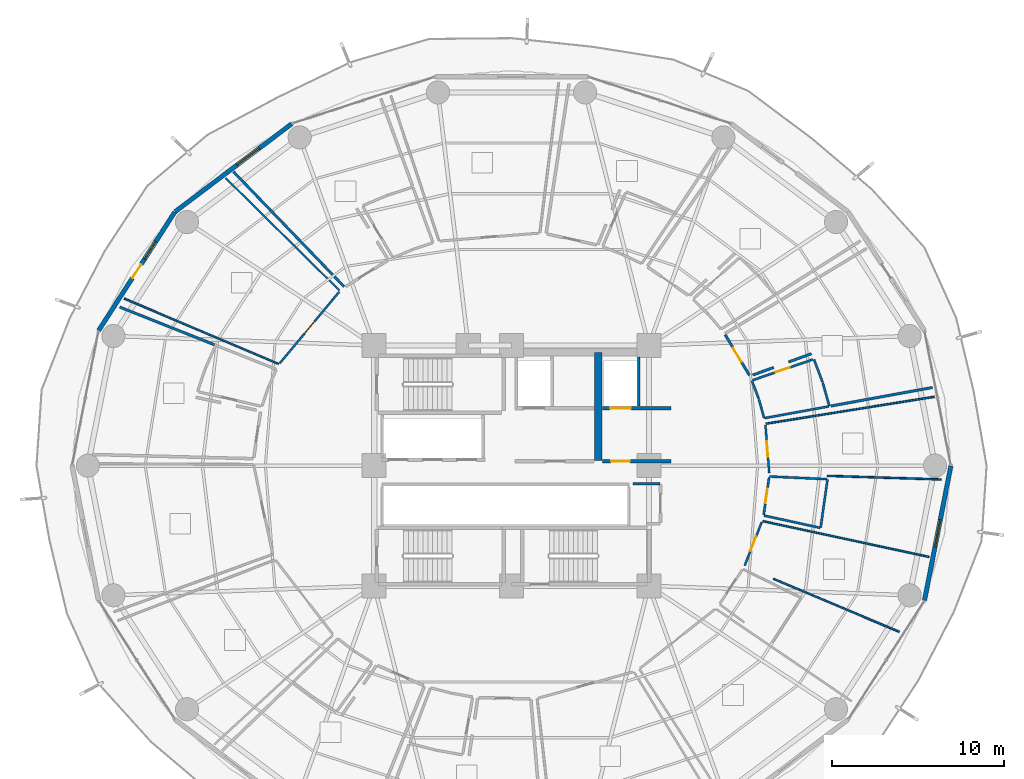
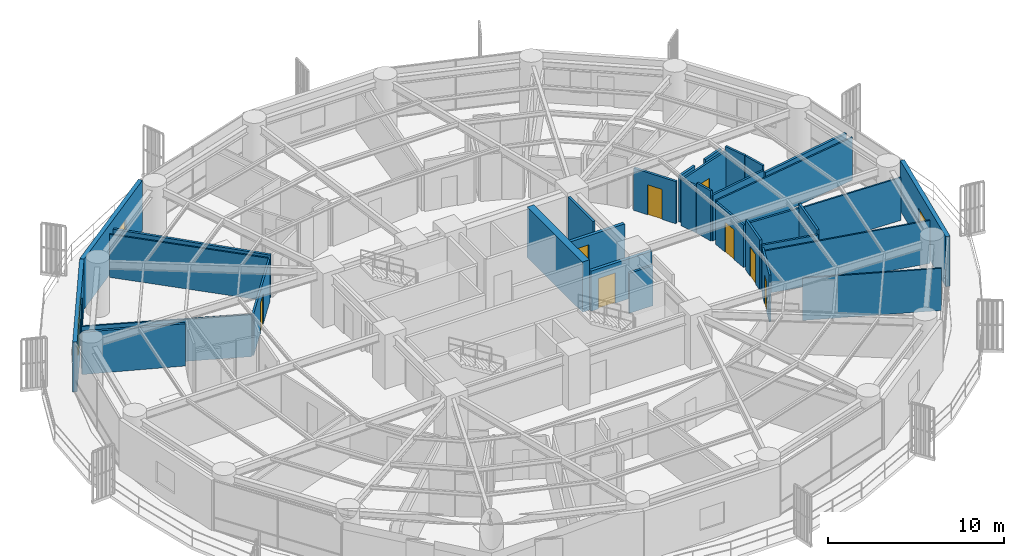
# One storey, part 28 of 34: 33 walls, 9 doors, 3 windows, 12 openings.
"""IFC4 building model written with IfcOpenShell, lengths in metres."""

from ifc_helpers import new_model, si_unit, direction, frame, frame_2d, origin, place, context, subcontext, project, spatial, rectangle, extrude, material, layer, layer_set, type_object, element, fill, save


model = new_model("IFC4")

# Units and contexts
model_context = context("Model", 3, precision=1e-05, world=origin(), true_north=direction((0.0, 1.0)))
body_context = subcontext(model_context, "Body", "Model", "MODEL_VIEW")
ifc_project = project(units=[si_unit("LENGTHUNIT", "METRE"), si_unit("AREAUNIT", "SQUARE_METRE"), si_unit("VOLUMEUNIT", "CUBIC_METRE"), si_unit("PLANEANGLEUNIT", "RADIAN"), si_unit("MASSUNIT", "GRAM", prefix="KILO")], contexts=[model_context])

# Site, building, storey
site_placement = place(None, origin())
site = spatial("IfcSite", under=ifc_project, at=site_placement, CompositionType="ELEMENT")
building_placement = place(site_placement, origin())
building = spatial("IfcBuilding", under=site, at=building_placement, Name="Kelanora Arch Commons", CompositionType="ELEMENT")
storey_placement = place(building_placement, frame((0.0, 0.0, 76.35009765625)))
storey = spatial("IfcBuildingStorey", under=building, at=storey_placement, Name="L19", CompositionType="ELEMENT", Elevation=76.35009765625)

# Wall
ifc_material_1 = material(Name="Autoclaved aerated concrete blockwork with fire plaster", Category="masonry")
ifc_layer_1 = layer(ifc_material_1, 0.14990234375)
ifc_layer_set_1 = layer_set([ifc_layer_1], Name="Autoclaved aerated concrete blockwork with fire plaster")
wall_type_1 = type_object("IfcWallType", Name="W-COMP-150", PredefinedType="PARTITIONING", material=ifc_layer_set_1)
wall_1_placement = place(storey_placement, frame((81.419921875, 61.47998046875, 0.0), z_axis=(0.0, 0.0, 1.0), x_axis=(0.0, 1.0, 0.0)))
element("IfcWall", 1, at=wall_1_placement, inside=storey, type_object=wall_type_1, Name="Firefighting Lift 2 East Shaft Wall L19", PredefinedType="PARTITIONING", context=body_context, shape_type="SweptSolid", body=[
    extrude(rectangle(XDim=2.840087890625, YDim=0.14990234375, at=frame_2d((1.419921875, 0.0))), origin(), (0.0, 0.0, 1.0), 3.47998046875),
])

# Wall, opening, door
wall_2_placement = place(storey_placement, frame((87.856201171875, 63.2666015625, 0.0), z_axis=(0.0, 0.0, 1.0), x_axis=(-0.512288635556, 0.858813340535, 0.0)))
wall_2 = element("IfcWall", 2, at=wall_2_placement, inside=storey, type_object=wall_type_1, Name="Co-Living Studio L19-01 Entry Partition", PredefinedType="PARTITIONING", context=body_context, shape_type="SweptSolid", body=[
    extrude(rectangle(XDim=2.751220703125, YDim=0.14990234375, at=frame_2d((1.37548828125, 0.0))), origin(), (0.0, 0.0, 1.0), 2.9248046875),
])
opening_1_placement = place(wall_2_placement, frame((0.90087890625, 0.0, 0.0)))
opening_1 = element("IfcOpeningElement", 3, at=opening_1_placement, cuts=wall_2, Name="Opening D-CLU1", PredefinedType="OPENING", context=body_context, shape_type="SweptSolid", body=[
    extrude(rectangle(XDim=0.949951171875, YDim=2.080078125, at=frame_2d((0.47509765625, 1.0400390625))), frame((0.0, 0.0849609375, 0.0), z_axis=(0.0, -1.0, 0.0), x_axis=(1.0, 0.0, 0.0)), (0.0, 0.0, 1.0), 0.169921875),
])
ifc_material_2 = material(Name="Solid-core acoustic timber cluster entry fire door", Category="wood")
door_type_1 = type_object("IfcDoorType", Name="D-CLU-95", OperationType="NOTDEFINED", PredefinedType="DOOR", material=ifc_material_2)
door_1_placement = place(opening_1_placement, origin())
door_1 = element("IfcDoor", 4, at=door_1_placement, inside=storey, type_object=door_type_1, Name="Co-Living Studio L19-01 Door", OperationType="SINGLE_SWING_LEFT", OverallHeight=2.080078125, OverallWidth=0.949951171875, PredefinedType="DOOR", context=body_context, shape_type="SweptSolid", body=[
    extrude(rectangle(XDim=0.949951171875, YDim=2.080078125, at=frame_2d((0.47509765625, 1.0400390625))), frame((0.0, 0.02490234375, 0.0), z_axis=(0.0, -1.0, 0.0), x_axis=(1.0, 0.0, 0.0)), (0.0, 0.0, 1.0), 0.050048828125),
])
fill(opening_1, door_1)

# Walls
wall_3_placement = place(storey_placement, frame((82.639892578125, 56.949951171875, 0.0), z_axis=(0.0, 0.0, 1.0), x_axis=(-1.0, 0.0, 0.0)))
element("IfcWall", 5, at=wall_3_placement, inside=storey, type_object=wall_type_1, Name="Core Housekeeping Store L19 Enclosure Partition 3", PredefinedType="PARTITIONING", context=body_context, shape_type="SweptSolid", body=[
    extrude(rectangle(XDim=1.5498046875, YDim=0.14990234375, at=frame_2d((0.77490234375, 0.0))), origin(), (0.0, 0.0, 1.0), 2.77490234375),
])
wall_4_placement = place(storey_placement, frame((98.51953125, 62.5517578125, 0.0), z_axis=(0.0, 0.0, 1.0), x_axis=(-0.983768558102, -0.17944197973, 0.0)))
element("IfcWall", 6, at=wall_4_placement, inside=storey, type_object=wall_type_1, Name="Co-Living Studio L19-01 Enclosure Partition 5", PredefinedType="PARTITIONING", context=body_context, shape_type="SweptSolid", body=[
    extrude(rectangle(XDim=6.021728515625, YDim=0.14990234375, at=frame_2d((3.0107421875, 0.0))), origin(), (0.0, 0.0, 1.0), 2.974853515625),
])
wall_5_placement = place(storey_placement, frame((91.470458984375, 64.521240234375, 0.0), z_axis=(0.0, 0.0, 1.0), x_axis=(-0.939526959999, -0.342474950084, 0.0)))
element("IfcWall", 7, at=wall_5_placement, inside=storey, type_object=wall_type_1, Name="Co-Living Studio L19-01 Enclosure Partition 7", PredefinedType="PARTITIONING", context=body_context, shape_type="SweptSolid", body=[
    extrude(rectangle(XDim=1.41943359375, YDim=0.14990234375, at=frame_2d((0.709716796875, 0.0))), origin(), (0.0, 0.0, 1.0), 3.1748046875),
])
wall_6_placement = place(storey_placement, frame((89.2724609375, 63.719970703125, 0.0), z_axis=(0.0, 0.0, 1.0), x_axis=(-0.939522570491, -0.342486991779, 0.0)))
element("IfcWall", 8, at=wall_6_placement, inside=storey, type_object=wall_type_1, Name="Co-Living Studio L19-01 Enclosure Partition 7", PredefinedType="PARTITIONING", context=body_context, shape_type="SweptSolid", body=[
    extrude(rectangle(XDim=1.291015625, YDim=0.14990234375, at=frame_2d((0.6455078125, 0.0))), origin(), (0.0, 0.0, 1.0), 3.23486328125),
])
wall_7_placement = place(storey_placement, frame((64.251220703125, 68.423828125, 0.0), z_axis=(0.0, 0.0, 1.0), x_axis=(-0.693645221886, 0.720316809574, 0.0)))
element("IfcWall", 9, at=wall_7_placement, inside=storey, type_object=wall_type_1, Name="Co-Living Studio L19-05 Enclosure Partition 2", PredefinedType="PARTITIONING", context=body_context, shape_type="SweptSolid", body=[
    extrude(rectangle(XDim=9.290771484375, YDim=0.14990234375, at=frame_2d((4.6455078125, 0.0))), origin(), (0.0, 0.0, 1.0), 2.974853515625),
])
wall_8_placement = place(storey_placement, frame((51.17919921875, 67.236083984375, 0.0), z_axis=(0.0, 0.0, 1.0), x_axis=(0.929212756669, -0.369545197294, 0.0)))
element("IfcWall", 10, at=wall_8_placement, inside=storey, type_object=wall_type_1, Name="Co-Living Studio L19-07 Enclosure Partition 5", PredefinedType="PARTITIONING", context=body_context, shape_type="SweptSolid", body=[
    extrude(rectangle(XDim=5.9326171875, YDim=0.14990234375, at=frame_2d((2.96630859375, 0.0))), origin(), (0.0, 0.0, 1.0), 2.9248046875),
])
ifc_material_3 = material(Name="Concrete C60/75", Category="concrete")
ifc_layer_2 = layer(ifc_material_3, 0.449951171875)
ifc_layer_set_2 = layer_set([ifc_layer_2], Name="Concrete C60/75")
wall_type_2 = type_object("IfcWallType", Name="W-CORE-450", PredefinedType="SHEAR", material=ifc_layer_set_2)
wall_9_placement = place(storey_placement, frame((79.050048828125, 58.300048828125, 0.0), z_axis=(0.0, 0.0, 1.0), x_axis=(0.0, 1.0, 0.0)))
element("IfcWall", 11, at=wall_9_placement, inside=storey, type_object=wall_type_2, Name="Core Shear Spine L19-CE-N", PredefinedType="SHEAR", context=body_context, shape_type="SweptSolid", body=[
    extrude(rectangle(XDim=6.300048828125, YDim=0.449951171875, at=frame_2d((3.14990234375, 0.0))), origin(), (0.0, 0.0, 1.0), 3.489990234375),
])

# Wall, opening, window
ifc_material_4 = material(Name="Precast concrete C40/50 with terracotta rainscreen", Category="masonry")
ifc_layer_3 = layer(ifc_material_4, 0.260009765625)
ifc_layer_set_3 = layer_set([ifc_layer_3], Name="Precast concrete C40/50 with terracotta rainscreen")
wall_type_3 = type_object("IfcWallType", Name="W-EXT-TC", PredefinedType="SOLIDWALL", material=ifc_layer_set_3)
wall_10_placement = place(storey_placement, frame((61.18798828125, 77.90966796875, 0.0), z_axis=(0.0, 0.0, 1.0), x_axis=(-0.798501507879, -0.601992808857, 0.0)))
wall_10 = element("IfcWall", 12, at=wall_10_placement, inside=storey, type_object=wall_type_3, Name="Terracotta Exterior Wall L19-B06", PredefinedType="SOLIDWALL", context=body_context, shape_type="SweptSolid", body=[
    extrude(rectangle(XDim=8.499267578125, YDim=0.260009765625, at=frame_2d((4.24951171875, 0.0))), origin(), (0.0, 0.0, 1.0), 3.474853515625),
])
opening_2_placement = place(wall_10_placement, frame((2.3701171875, 0.0, 0.85009765625)))
opening_2 = element("IfcOpeningElement", 13, at=opening_2_placement, cuts=wall_10, Name="Opening WN-01", PredefinedType="OPENING", context=body_context, shape_type="SweptSolid", body=[
    extrude(rectangle(XDim=1.60009765625, YDim=1.449951171875, at=frame_2d((0.800048828125, 0.72509765625))), frame((0.0, 0.14013671875, 0.0), z_axis=(0.0, -1.0, 0.0), x_axis=(1.0, 0.0, 0.0)), (0.0, 0.0, 1.0), 0.280029296875),
])
ifc_material_5 = material(Name="Terracotta-anodised aluminium frame with operable low-E glazing", Category="masonry")
window_type_1 = type_object("IfcWindowType", Name="WIN-CL-18", PartitioningType="DOUBLE_PANEL_VERTICAL", PredefinedType="WINDOW", material=ifc_material_5)
window_1_placement = place(opening_2_placement, origin())
window_1 = element("IfcWindow", 14, at=window_1_placement, inside=storey, type_object=window_type_1, Name="Co-Living Operable Window L19-B06", OverallHeight=1.449951171875, OverallWidth=1.60009765625, PartitioningType="SINGLE_PANEL", PredefinedType="WINDOW", context=body_context, shape_type="SweptSolid", body=[
    extrude(rectangle(XDim=1.60009765625, YDim=1.449951171875, at=frame_2d((0.800048828125, 0.72509765625))), frame((0.0, 0.030029296875, 0.0), z_axis=(0.0, -1.0, 0.0), x_axis=(1.0, 0.0, 0.0)), (0.0, 0.0, 1.0), 0.06005859375),
])
fill(opening_2, window_1)

# Wall, openings, door, window
wall_11_placement = place(storey_placement, frame((54.381103515625, 72.771484375, 0.0), z_axis=(0.0, 0.0, 1.0), x_axis=(-0.540620528459, -0.841266571432, 0.0)))
wall_11 = element("IfcWall", 15, at=wall_11_placement, inside=storey, type_object=wall_type_3, Name="Terracotta Exterior Wall L19-B07", PredefinedType="SOLIDWALL", context=body_context, shape_type="SweptSolid", body=[
    extrude(rectangle(XDim=8.19287109375, YDim=0.260009765625, at=frame_2d((4.096435546875, 0.0))), origin(), (0.0, 0.0, 1.0), 3.474853515625),
])
opening_3_placement = place(wall_11_placement, frame((3.62109375, 0.0, 0.0)))
opening_3 = element("IfcOpeningElement", 16, at=opening_3_placement, cuts=wall_11, Name="Opening DB-01", PredefinedType="OPENING", context=body_context, shape_type="SweptSolid", body=[
    extrude(rectangle(XDim=0.949951171875, YDim=2.10009765625, at=frame_2d((0.47509765625, 1.050048828125))), frame((0.0, 0.14013671875, 0.0), z_axis=(0.0, -1.0, 0.0), x_axis=(1.0, 0.0, 0.0)), (0.0, 0.0, 1.0), 0.280029296875),
])
opening_4_placement = place(wall_11_placement, frame((2.041015625, 0.0, 0.85009765625)))
opening_4 = element("IfcOpeningElement", 17, at=opening_4_placement, cuts=wall_11, Name="Opening WN-02", PredefinedType="OPENING", context=body_context, shape_type="SweptSolid", body=[
    extrude(rectangle(XDim=1.199951171875, YDim=1.449951171875, at=frame_2d((0.60009765625, 0.72509765625))), frame((0.0, 0.14013671875, 0.0), z_axis=(0.0, -1.0, 0.0), x_axis=(1.0, 0.0, 0.0)), (0.0, 0.0, 1.0), 0.280029296875),
])
ifc_material_6 = material(Name="Terracotta-aluminium thermally broken glazed balcony door", Category="masonry")
door_type_2 = type_object("IfcDoorType", Name="D-BAL-10", OperationType="NOTDEFINED", PredefinedType="DOOR", material=ifc_material_6)
door_2_placement = place(opening_3_placement, frame((0.949951171875, 0.0, 0.0), z_axis=(0.0, 0.0, 1.0), x_axis=(-1.0, 0.0, 0.0)))
door_2 = element("IfcDoor", 18, at=door_2_placement, inside=storey, type_object=door_type_2, Name="Wave Balcony Door L19-B07", OperationType="SINGLE_SWING_LEFT", OverallHeight=2.10009765625, OverallWidth=0.949951171875, PredefinedType="DOOR", context=body_context, shape_type="SweptSolid", body=[
    extrude(rectangle(XDim=0.949951171875, YDim=2.10009765625, at=frame_2d((0.47509765625, 1.050048828125))), frame((0.0, 0.02490234375, 0.0), z_axis=(0.0, -1.0, 0.0), x_axis=(1.0, 0.0, 0.0)), (0.0, 0.0, 1.0), 0.050048828125),
])
fill(opening_3, door_2)
ifc_material_7 = material(Name="Terracotta-anodised aluminium frame with operable awning sash", Category="masonry")
window_type_2 = type_object("IfcWindowType", Name="WIN-CL-12", PartitioningType="SINGLE_PANEL", PredefinedType="WINDOW", material=ifc_material_7)
window_2_placement = place(opening_4_placement, origin())
window_2 = element("IfcWindow", 19, at=window_2_placement, inside=storey, type_object=window_type_2, Name="Co-Living Operable Window L19-B07", OverallHeight=1.449951171875, OverallWidth=1.199951171875, PartitioningType="SINGLE_PANEL", PredefinedType="WINDOW", context=body_context, shape_type="SweptSolid", body=[
    extrude(rectangle(XDim=1.199951171875, YDim=1.449951171875, at=frame_2d((0.60009765625, 0.72509765625))), frame((0.0, 0.030029296875, 0.0), z_axis=(0.0, -1.0, 0.0), x_axis=(1.0, 0.0, 0.0)), (0.0, 0.0, 1.0), 0.06005859375),
])
fill(opening_4, window_2)

# Wall, opening, window
wall_12_placement = place(storey_placement, frame((98.05908203125, 50.148193359375, 0.0), z_axis=(0.0, 0.0, 1.0), x_axis=(0.192581843632, 0.981280914674, 0.0)))
wall_12 = element("IfcWall", 20, at=wall_12_placement, inside=storey, type_object=wall_type_3, Name="Terracotta Exterior Wall L19-B17", PredefinedType="SOLIDWALL", context=body_context, shape_type="SweptSolid", body=[
    extrude(rectangle(XDim=7.986572265625, YDim=0.260009765625, at=frame_2d((3.9931640625, 0.0))), origin(), (0.0, 0.0, 1.0), 3.474853515625),
])
opening_5_placement = place(wall_12_placement, frame((3.193115234375, 0.0, 0.85009765625)))
opening_5 = element("IfcOpeningElement", 21, at=opening_5_placement, cuts=wall_12, Name="Opening WN-01", PredefinedType="OPENING", context=body_context, shape_type="SweptSolid", body=[
    extrude(rectangle(XDim=1.60009765625, YDim=1.449951171875, at=frame_2d((0.800048828125, 0.72509765625))), frame((0.0, 0.14013671875, 0.0), z_axis=(0.0, -1.0, 0.0), x_axis=(1.0, 0.0, 0.0)), (0.0, 0.0, 1.0), 0.280029296875),
])
window_3_placement = place(opening_5_placement, origin())
window_3 = element("IfcWindow", 22, at=window_3_placement, inside=storey, type_object=window_type_1, Name="Co-Living Operable Window L19-B17", OverallHeight=1.449951171875, OverallWidth=1.60009765625, PartitioningType="SINGLE_PANEL", PredefinedType="WINDOW", context=body_context, shape_type="SweptSolid", body=[
    extrude(rectangle(XDim=1.60009765625, YDim=1.449951171875, at=frame_2d((0.800048828125, 0.72509765625))), frame((0.0, 0.030029296875, 0.0), z_axis=(0.0, -1.0, 0.0), x_axis=(1.0, 0.0, 0.0)), (0.0, 0.0, 1.0), 0.06005859375),
])
fill(opening_5, window_3)

# Wall, opening, door
ifc_material_8 = material(Name="Concrete C40/50", Category="concrete")
ifc_layer_4 = layer(ifc_material_8, 0.199951171875)
ifc_layer_set_4 = layer_set([ifc_layer_4], Name="Concrete C40/50")
wall_type_4 = type_object("IfcWallType", Name="W-FFL-200", PredefinedType="SOLIDWALL", material=ifc_layer_set_4)
wall_13_placement = place(storey_placement, frame((79.300048828125, 61.35009765625, 0.0), z_axis=(0.0, 0.0, 1.0), x_axis=(1.0, 0.0, 0.0)))
wall_13 = element("IfcWall", 23, at=wall_13_placement, inside=storey, type_object=wall_type_4, Name="Firefighting Lift 2 Shaft Front L19", PredefinedType="SOLIDWALL", context=body_context, shape_type="SweptSolid", body=[
    extrude(rectangle(XDim=4.0, YDim=0.199951171875, at=frame_2d((2.0, 0.0))), origin(), (0.0, 0.0, 1.0), 2.77490234375),
])
opening_6_placement = place(wall_13_placement, frame((0.449951171875, 0.0, 0.0)))
opening_6 = element("IfcOpeningElement", 24, at=opening_6_placement, cuts=wall_13, Name="Opening LD-FF", PredefinedType="OPENING", context=body_context, shape_type="SweptSolid", body=[
    extrude(rectangle(XDim=1.199951171875, YDim=2.14990234375, at=frame_2d((0.60009765625, 1.074951171875))), frame((0.0, 0.10986328125, 0.0), z_axis=(0.0, -1.0, 0.0), x_axis=(1.0, 0.0, 0.0)), (0.0, 0.0, 1.0), 0.219970703125),
])
ifc_material_9 = material(Name="Fire-rated firefighters lift sliding landing door")
door_type_3 = type_object("IfcDoorType", Name="D-LIFT-FF", OperationType="NOTDEFINED", PredefinedType="DOOR", material=ifc_material_9)
door_3_placement = place(opening_6_placement, origin())
door_3 = element("IfcDoor", 25, at=door_3_placement, inside=storey, type_object=door_type_3, Name="Firefighting Lift LF-FF2 Landing Door L19", OperationType="DOUBLE_DOOR_SLIDING", OverallHeight=2.14990234375, OverallWidth=1.199951171875, PredefinedType="DOOR", context=body_context, shape_type="SweptSolid", body=[
    extrude(rectangle(XDim=1.199951171875, YDim=2.14990234375, at=frame_2d((0.60009765625, 1.074951171875))), frame((0.0, 0.02490234375, 0.0), z_axis=(0.0, -1.0, 0.0), x_axis=(1.0, 0.0, 0.0)), (0.0, 0.0, 1.0), 0.050048828125),
])
fill(opening_6, door_3)

wall_14_placement = place(storey_placement, frame((79.300048828125, 58.25, 0.0), z_axis=(0.0, 0.0, 1.0), x_axis=(1.0, 0.0, 0.0)))
wall_14 = element("IfcWall", 26, at=wall_14_placement, inside=storey, type_object=wall_type_4, Name="Firefighting Lobby 2 Enclosure Wall L19", PredefinedType="SOLIDWALL", context=body_context, shape_type="SweptSolid", body=[
    extrude(rectangle(XDim=4.0, YDim=0.199951171875, at=frame_2d((2.0, 0.0))), origin(), (0.0, 0.0, 1.0), 2.77490234375),
])
opening_7_placement = place(wall_14_placement, frame((0.5, 0.0, 0.0)))
opening_7 = element("IfcOpeningElement", 27, at=opening_7_placement, cuts=wall_14, Name="Opening D-FFL1", PredefinedType="OPENING", context=body_context, shape_type="SweptSolid", body=[
    extrude(rectangle(XDim=1.10009765625, YDim=2.10009765625, at=frame_2d((0.550048828125, 1.050048828125))), frame((0.0, 0.10986328125, 0.0), z_axis=(0.0, -1.0, 0.0), x_axis=(1.0, 0.0, 0.0)), (0.0, 0.0, 1.0), 0.219970703125),
])
ifc_material_10 = material(Name="Smoke-sealed firefighting lobby fire door")
door_type_4 = type_object("IfcDoorType", Name="D-FFL-110", OperationType="NOTDEFINED", PredefinedType="DOOR", material=ifc_material_10)
door_4_placement = place(opening_7_placement, frame((1.10009765625, 0.0, 0.0), z_axis=(0.0, 0.0, 1.0), x_axis=(-1.0, 0.0, 0.0)))
door_4 = element("IfcDoor", 28, at=door_4_placement, inside=storey, type_object=door_type_4, Name="Firefighting Lobby 2 Door L19", OperationType="SINGLE_SWING_RIGHT", OverallHeight=2.10009765625, OverallWidth=1.10009765625, PredefinedType="DOOR", context=body_context, shape_type="SweptSolid", body=[
    extrude(rectangle(XDim=1.10009765625, YDim=2.10009765625, at=frame_2d((0.550048828125, 1.050048828125))), frame((0.0, 0.02490234375, 0.0), z_axis=(0.0, -1.0, 0.0), x_axis=(1.0, 0.0, 0.0)), (0.0, 0.0, 1.0), 0.050048828125),
])
fill(opening_7, door_4)

# Walls
ifc_material_11 = material(Name="Lightweight fire-rated acoustic stud partition")
ifc_layer_5 = layer(ifc_material_11, 0.10009765625)
ifc_layer_set_5 = layer_set([ifc_layer_5], Name="Lightweight fire-rated acoustic stud partition")
wall_type_5 = type_object("IfcWallType", Name="W-PART-100", PredefinedType="PARTITIONING", material=ifc_layer_set_5)
wall_15_placement = place(storey_placement, frame((60.420166015625, 63.926513671875, 0.0), z_axis=(0.0, 0.0, 1.0), x_axis=(-0.920723225206, 0.390216276654, 0.0)))
element("IfcWall", 29, at=wall_15_placement, inside=storey, type_object=wall_type_5, Name="Social Sky Lounge L19-06 Enclosure Partition 2", PredefinedType="PARTITIONING", context=body_context, shape_type="SweptSolid", body=[
    extrude(rectangle(XDim=9.755859375, YDim=0.10009765625, at=frame_2d((4.8779296875, 0.0))), origin(), (0.0, 0.0, 1.0), 2.9248046875),
])
wall_16_placement = place(storey_placement, frame((57.344482421875, 74.755859375, 0.0), z_axis=(0.0, 0.0, 1.0), x_axis=(0.711285789258, -0.702902927864, 0.0)))
element("IfcWall", 30, at=wall_16_placement, inside=storey, type_object=wall_type_5, Name="Social Sky Lounge L19-06 Enclosure Partition 4", PredefinedType="PARTITIONING", context=body_context, shape_type="SweptSolid", body=[
    extrude(rectangle(XDim=9.319580078125, YDim=0.10009765625, at=frame_2d((4.65966796875, 0.0))), origin(), (0.0, 0.0, 1.0), 2.974853515625),
])
wall_17_placement = place(storey_placement, frame((88.64111328125, 54.763671875, 0.0), z_axis=(0.0, 0.0, 1.0), x_axis=(0.97772336182, -0.209897660187, 0.0)))
element("IfcWall", 31, at=wall_17_placement, inside=storey, type_object=wall_type_5, Name="Quiet Reading Carrel L19-14 Enclosure Partition 2", PredefinedType="PARTITIONING", context=body_context, shape_type="SweptSolid", body=[
    extrude(rectangle(XDim=9.906494140625, YDim=0.10009765625, at=frame_2d((4.953125, 0.0))), origin(), (0.0, 0.0, 1.0), 2.974853515625),
])
wall_18_placement = place(storey_placement, frame((96.590087890625, 48.318603515625, 0.0), z_axis=(0.0, 0.0, 1.0), x_axis=(-0.92163364156, 0.388061117279, 0.0)))
element("IfcWall", 32, at=wall_18_placement, inside=storey, type_object=wall_type_5, Name="Quiet Reading Carrel L19-14 Enclosure Partition 4", PredefinedType="PARTITIONING", context=body_context, shape_type="SweptSolid", body=[
    extrude(rectangle(XDim=7.952880859375, YDim=0.10009765625, at=frame_2d((3.9765625, 0.0))), origin(), (0.0, 0.0, 1.0), 2.9248046875),
])
wall_19_placement = place(storey_placement, frame((88.827392578125, 60.443359375, 0.0), z_axis=(0.0, 0.0, 1.0), x_axis=(0.987442472226, 0.157978998742, 0.0)))
element("IfcWall", 33, at=wall_19_placement, inside=storey, type_object=wall_type_5, Name="Tutorial Study Alcove L19-15 Enclosure Partition 2", PredefinedType="PARTITIONING", context=body_context, shape_type="SweptSolid", body=[
    extrude(rectangle(XDim=9.933837890625, YDim=0.10009765625, at=frame_2d((4.966796875, 0.0))), origin(), (0.0, 0.0, 1.0), 2.974853515625),
])
wall_20_placement = place(storey_placement, frame((99.02392578125, 57.1953125, 0.0), z_axis=(0.0, 0.0, 1.0), x_axis=(-0.999502833447, 0.031529128296, 0.0)))
element("IfcWall", 34, at=wall_20_placement, inside=storey, type_object=wall_type_5, Name="Tutorial Study Alcove L19-15 Enclosure Partition 4", PredefinedType="PARTITIONING", context=body_context, shape_type="SweptSolid", body=[
    extrude(rectangle(XDim=6.628173828125, YDim=0.10009765625, at=frame_2d((3.31396484375, 0.0))), origin(), (0.0, 0.0, 1.0), 2.974853515625),
])

# Wall, opening, door
ifc_material_12 = material(Name="Acoustic twin-stud fire-rated gypsum partition")
ifc_layer_6 = layer(ifc_material_12, 0.1201171875)
ifc_layer_set_6 = layer_set([ifc_layer_6], Name="Acoustic twin-stud fire-rated gypsum partition")
wall_type_6 = type_object("IfcWallType", Name="W-PART-120", PredefinedType="PARTITIONING", material=ifc_layer_set_6)
wall_21_placement = place(storey_placement, frame((63.963623046875, 68.130859375, 0.0), z_axis=(0.0, 0.0, 1.0), x_axis=(-0.639104047727, -0.769120287198, 0.0)))
wall_21 = element("IfcWall", 35, at=wall_21_placement, inside=storey, type_object=wall_type_6, Name="Social Sky Lounge L19-06 Entry Partition", PredefinedType="PARTITIONING", context=body_context, shape_type="SweptSolid", body=[
    extrude(rectangle(XDim=5.4267578125, YDim=0.1201171875, at=frame_2d((2.71337890625, 0.0))), origin(), (0.0, 0.0, 1.0), 2.9248046875),
])
opening_8_placement = place(wall_21_placement, frame((2.262939453125, 0.0, 0.0)))
opening_8 = element("IfcOpeningElement", 36, at=opening_8_placement, cuts=wall_21, Name="Opening D-RM1", PredefinedType="OPENING", context=body_context, shape_type="SweptSolid", body=[
    extrude(rectangle(XDim=0.89990234375, YDim=2.080078125, at=frame_2d((0.449951171875, 1.0400390625))), frame((0.0, 0.070068359375, 0.0), z_axis=(0.0, -1.0, 0.0), x_axis=(1.0, 0.0, 0.0)), (0.0, 0.0, 1.0), 0.14013671875),
])
ifc_material_13 = material(Name="Acoustic fire-rated timber study and lounge door", Category="wood")
door_type_5 = type_object("IfcDoorType", Name="D-ROOM-90", OperationType="NOTDEFINED", PredefinedType="DOOR", material=ifc_material_13)
door_5_placement = place(opening_8_placement, origin())
door_5 = element("IfcDoor", 37, at=door_5_placement, inside=storey, type_object=door_type_5, Name="Social Sky Lounge L19-06 Door", OperationType="SINGLE_SWING_LEFT", OverallHeight=2.080078125, OverallWidth=0.89990234375, PredefinedType="DOOR", context=body_context, shape_type="SweptSolid", body=[
    extrude(rectangle(XDim=0.89990234375, YDim=2.080078125, at=frame_2d((0.449951171875, 1.0400390625))), frame((0.0, 0.02490234375, 0.0), z_axis=(0.0, -1.0, 0.0), x_axis=(1.0, 0.0, 0.0)), (0.0, 0.0, 1.0), 0.050048828125),
])
fill(opening_8, door_5)

wall_22_placement = place(storey_placement, frame((87.581787109375, 52.1767578125, 0.0), z_axis=(0.0, 0.0, 1.0), x_axis=(0.365846135531, 0.930675348936, 0.0)))
wall_22 = element("IfcWall", 38, at=wall_22_placement, inside=storey, type_object=wall_type_6, Name="Quiet Reading Carrel L19-14 Entry Partition", PredefinedType="PARTITIONING", context=body_context, shape_type="SweptSolid", body=[
    extrude(rectangle(XDim=2.728759765625, YDim=0.1201171875, at=frame_2d((1.3642578125, 0.0))), origin(), (0.0, 0.0, 1.0), 3.23486328125),
])
opening_9_placement = place(wall_22_placement, frame((0.9140625, 0.0, 0.0)))
opening_9 = element("IfcOpeningElement", 39, at=opening_9_placement, cuts=wall_22, Name="Opening D-RM1", PredefinedType="OPENING", context=body_context, shape_type="SweptSolid", body=[
    extrude(rectangle(XDim=0.89990234375, YDim=2.080078125, at=frame_2d((0.449951171875, 1.0400390625))), frame((0.0, 0.070068359375, 0.0), z_axis=(0.0, -1.0, 0.0), x_axis=(1.0, 0.0, 0.0)), (0.0, 0.0, 1.0), 0.14013671875),
])
door_6_placement = place(opening_9_placement, origin())
door_6 = element("IfcDoor", 40, at=door_6_placement, inside=storey, type_object=door_type_5, Name="Quiet Reading Carrel L19-14 Door", OperationType="SINGLE_SWING_LEFT", OverallHeight=2.080078125, OverallWidth=0.89990234375, PredefinedType="DOOR", context=body_context, shape_type="SweptSolid", body=[
    extrude(rectangle(XDim=0.89990234375, YDim=2.080078125, at=frame_2d((0.449951171875, 1.0400390625))), frame((0.0, 0.02490234375, 0.0), z_axis=(0.0, -1.0, 0.0), x_axis=(1.0, 0.0, 0.0)), (0.0, 0.0, 1.0), 0.050048828125),
])
fill(opening_9, door_6)

wall_23_placement = place(storey_placement, frame((89.015380859375, 57.57080078125, 0.0), z_axis=(0.0, 0.0, 1.0), x_axis=(-0.079090310477, 0.996867454975, 0.0)))
wall_23 = element("IfcWall", 41, at=wall_23_placement, inside=storey, type_object=wall_type_6, Name="Tutorial Study Alcove L19-15 Entry Partition", PredefinedType="PARTITIONING", context=body_context, shape_type="SweptSolid", body=[
    extrude(rectangle(XDim=2.815185546875, YDim=0.1201171875, at=frame_2d((1.40771484375, 0.0))), origin(), (0.0, 0.0, 1.0), 2.9248046875),
])
opening_10_placement = place(wall_23_placement, frame((0.9580078125, 0.0, 0.0)))
opening_10 = element("IfcOpeningElement", 42, at=opening_10_placement, cuts=wall_23, Name="Opening D-RM1", PredefinedType="OPENING", context=body_context, shape_type="SweptSolid", body=[
    extrude(rectangle(XDim=0.89990234375, YDim=2.080078125, at=frame_2d((0.449951171875, 1.0400390625))), frame((0.0, 0.070068359375, 0.0), z_axis=(0.0, -1.0, 0.0), x_axis=(1.0, 0.0, 0.0)), (0.0, 0.0, 1.0), 0.14013671875),
])
door_7_placement = place(opening_10_placement, origin())
door_7 = element("IfcDoor", 43, at=door_7_placement, inside=storey, type_object=door_type_5, Name="Tutorial Study Alcove L19-15 Door", OperationType="SINGLE_SWING_LEFT", OverallHeight=2.080078125, OverallWidth=0.89990234375, PredefinedType="DOOR", context=body_context, shape_type="SweptSolid", body=[
    extrude(rectangle(XDim=0.89990234375, YDim=2.080078125, at=frame_2d((0.449951171875, 1.0400390625))), frame((0.0, 0.02490234375, 0.0), z_axis=(0.0, -1.0, 0.0), x_axis=(1.0, 0.0, 0.0)), (0.0, 0.0, 1.0), 0.050048828125),
])
fill(opening_10, door_7)

ifc_material_14 = material(Name="Moisture-resistant fire-rated cement-board plumbing wall")
ifc_layer_7 = layer(ifc_material_14, 0.1298828125)
ifc_layer_set_7 = layer_set([ifc_layer_7], Name="Moisture-resistant fire-rated cement-board plumbing wall")
wall_type_7 = type_object("IfcWallType", Name="W-WET-120", PredefinedType="PLUMBINGWALL", material=ifc_layer_set_7)
wall_24_placement = place(storey_placement, frame((88.0556640625, 62.98046875, 0.0), z_axis=(0.0, 0.0, 1.0), x_axis=(0.94570750663, 0.325018940838, 0.0)))
wall_24 = element("IfcWall", 44, at=wall_24_placement, inside=storey, type_object=wall_type_7, Name="En-Suite Shower WC L19-01 Entry Partition", PredefinedType="PLUMBINGWALL", context=body_context, shape_type="SweptSolid", body=[
    extrude(rectangle(XDim=3.70166015625, YDim=0.1298828125, at=frame_2d((1.850830078125, 0.0))), origin(), (0.0, 0.0, 1.0), 3.1748046875),
])
opening_11_placement = place(wall_24_placement, frame((1.4208984375, 0.0, 0.0)))
opening_11 = element("IfcOpeningElement", 45, at=opening_11_placement, cuts=wall_24, Name="Opening D-BT1", PredefinedType="OPENING", context=body_context, shape_type="SweptSolid", body=[
    extrude(rectangle(XDim=0.860107421875, YDim=2.050048828125, at=frame_2d((0.43017578125, 1.02490234375))), frame((0.0, 0.074951171875, 0.0), z_axis=(0.0, -1.0, 0.0), x_axis=(1.0, 0.0, 0.0)), (0.0, 0.0, 1.0), 0.14990234375),
])
ifc_material_15 = material(Name="Moisture-sealed fire-rated accessible bathroom door")
door_type_6 = type_object("IfcDoorType", Name="D-BATH-85", OperationType="NOTDEFINED", PredefinedType="DOOR", material=ifc_material_15)
door_8_placement = place(opening_11_placement, origin())
door_8 = element("IfcDoor", 46, at=door_8_placement, inside=storey, type_object=door_type_6, Name="En-Suite Shower WC L19-01 Door", OperationType="SINGLE_SWING_RIGHT", OverallHeight=2.050048828125, OverallWidth=0.860107421875, PredefinedType="DOOR", context=body_context, shape_type="SweptSolid", body=[
    extrude(rectangle(XDim=0.860107421875, YDim=2.050048828125, at=frame_2d((0.43017578125, 1.02490234375))), frame((0.0, 0.02490234375, 0.0), z_axis=(0.0, -1.0, 0.0), x_axis=(1.0, 0.0, 0.0)), (0.0, 0.0, 1.0), 0.050048828125),
])
fill(opening_11, door_8)

wall_25_placement = place(storey_placement, frame((88.693603515625, 55.155517578125, 0.0), z_axis=(0.0, 0.0, 1.0), x_axis=(0.14330641518, 0.989678367637, 0.0)))
wall_25 = element("IfcWall", 47, at=wall_25_placement, inside=storey, type_object=wall_type_7, Name="Accessible Shared Floor WC L19-15 Entry Partition", PredefinedType="PLUMBINGWALL", context=body_context, shape_type="SweptSolid", body=[
    extrude(rectangle(XDim=2.175537109375, YDim=0.1298828125, at=frame_2d((1.087890625, 0.0))), origin(), (0.0, 0.0, 1.0), 3.47998046875),
])
opening_12_placement = place(wall_25_placement, frame((0.657958984375, 0.0, 0.0)))
opening_12 = element("IfcOpeningElement", 48, at=opening_12_placement, cuts=wall_25, Name="Opening D-BT1", PredefinedType="OPENING", context=body_context, shape_type="SweptSolid", body=[
    extrude(rectangle(XDim=0.860107421875, YDim=2.050048828125, at=frame_2d((0.43017578125, 1.02490234375))), frame((0.0, 0.074951171875, 0.0), z_axis=(0.0, -1.0, 0.0), x_axis=(1.0, 0.0, 0.0)), (0.0, 0.0, 1.0), 0.14990234375),
])
door_9_placement = place(opening_12_placement, origin())
door_9 = element("IfcDoor", 49, at=door_9_placement, inside=storey, type_object=door_type_6, Name="Accessible Shared Floor WC L19-15 Door", OperationType="SINGLE_SWING_RIGHT", OverallHeight=2.050048828125, OverallWidth=0.860107421875, PredefinedType="DOOR", context=body_context, shape_type="SweptSolid", body=[
    extrude(rectangle(XDim=0.860107421875, YDim=2.050048828125, at=frame_2d((0.43017578125, 1.02490234375))), frame((0.0, 0.02490234375, 0.0), z_axis=(0.0, -1.0, 0.0), x_axis=(1.0, 0.0, 0.0)), (0.0, 0.0, 1.0), 0.050048828125),
])
fill(opening_12, door_9)

# Walls
wall_26_placement = place(storey_placement, frame((88.712646484375, 60.783203125, 0.0), z_axis=(0.0, 0.0, 1.0), x_axis=(-0.267768177699, 0.963483369349, 0.0)))
element("IfcWall", 50, at=wall_26_placement, inside=storey, type_object=wall_type_7, Name="En-Suite Shower WC L19-01 Enclosure Partition 1", PredefinedType="PLUMBINGWALL", context=body_context, shape_type="SweptSolid", body=[
    extrude(rectangle(XDim=1.1142578125, YDim=0.1298828125, at=frame_2d((0.55712890625, 0.0))), origin(), (0.0, 0.0, 1.0), 3.47998046875),
])
wall_27_placement = place(storey_placement, frame((88.40185546875, 61.894775390625, 0.0), z_axis=(0.0, 0.0, 1.0), x_axis=(-0.353392089541, 0.935475296868, 0.0)))
element("IfcWall", 51, at=wall_27_placement, inside=storey, type_object=wall_type_7, Name="En-Suite Shower WC L19-01 Enclosure Partition 2", PredefinedType="PLUMBINGWALL", context=body_context, shape_type="SweptSolid", body=[
    extrude(rectangle(XDim=1.119873046875, YDim=0.1298828125, at=frame_2d((0.56005859375, 0.0))), origin(), (0.0, 0.0, 1.0), 3.23486328125),
])
wall_28_placement = place(storey_placement, frame((91.6201171875, 64.184326171875, 0.0), z_axis=(0.0, 0.0, 1.0), x_axis=(0.355383981736, -0.934720399652, 0.0)))
element("IfcWall", 52, at=wall_28_placement, inside=storey, type_object=wall_type_7, Name="En-Suite Shower WC L19-01 Enclosure Partition 4", PredefinedType="PLUMBINGWALL", context=body_context, shape_type="SweptSolid", body=[
    extrude(rectangle(XDim=1.41162109375, YDim=0.1298828125, at=frame_2d((0.705810546875, 0.0))), origin(), (0.0, 0.0, 1.0), 3.47998046875),
])
wall_29_placement = place(storey_placement, frame((92.134521484375, 62.82666015625, 0.0), z_axis=(0.0, 0.0, 1.0), x_axis=(0.268855284743, -0.963180583206, 0.0)))
element("IfcWall", 53, at=wall_29_placement, inside=storey, type_object=wall_type_7, Name="En-Suite Shower WC L19-01 Enclosure Partition 5", PredefinedType="PLUMBINGWALL", context=body_context, shape_type="SweptSolid", body=[
    extrude(rectangle(XDim=1.403076171875, YDim=0.1298828125, at=frame_2d((0.70166015625, 0.0))), origin(), (0.0, 0.0, 1.0), 3.47998046875),
])
wall_30_placement = place(storey_placement, frame((92.497314453125, 61.452392578125, 0.0), z_axis=(0.0, 0.0, 1.0), x_axis=(-0.983811592037, -0.17920589101, 0.0)))
element("IfcWall", 54, at=wall_30_placement, inside=storey, type_object=wall_type_7, Name="En-Suite Shower WC L19-01 Enclosure Partition 6", PredefinedType="PLUMBINGWALL", context=body_context, shape_type="SweptSolid", body=[
    extrude(rectangle(XDim=3.8212890625, YDim=0.1298828125, at=frame_2d((1.91064453125, 0.0))), origin(), (0.0, 0.0, 1.0), 3.1748046875),
])
wall_31_placement = place(storey_placement, frame((89.033935546875, 57.3671875, 0.0), z_axis=(0.0, 0.0, 1.0), x_axis=(0.998931351305, -0.046218560994, 0.0)))
element("IfcWall", 55, at=wall_31_placement, inside=storey, type_object=wall_type_7, Name="Accessible Shared Floor WC L19-15 Enclosure Partition 2", PredefinedType="PLUMBINGWALL", context=body_context, shape_type="SweptSolid", body=[
    extrude(rectangle(XDim=3.359619140625, YDim=0.1298828125, at=frame_2d((1.6796875, 0.0))), origin(), (0.0, 0.0, 1.0), 3.1748046875),
])
wall_32_placement = place(storey_placement, frame((92.4072265625, 57.191162109375, 0.0), z_axis=(0.0, 0.0, 1.0), x_axis=(-0.140575090878, -0.990070019658, 0.0)))
element("IfcWall", 56, at=wall_32_placement, inside=storey, type_object=wall_type_7, Name="Accessible Shared Floor WC L19-15 Enclosure Partition 3", PredefinedType="PLUMBINGWALL", context=body_context, shape_type="SweptSolid", body=[
    extrude(rectangle(XDim=2.827392578125, YDim=0.1298828125, at=frame_2d((1.41357421875, 0.0))), origin(), (0.0, 0.0, 1.0), 3.47998046875),
])
wall_33_placement = place(storey_placement, frame((91.987548828125, 54.376220703125, 0.0), z_axis=(0.0, 0.0, 1.0), x_axis=(-0.977059488183, 0.212966562048, 0.0)))
element("IfcWall", 57, at=wall_33_placement, inside=storey, type_object=wall_type_7, Name="Accessible Shared Floor WC L19-15 Enclosure Partition 4", PredefinedType="PLUMBINGWALL", context=body_context, shape_type="SweptSolid", body=[
    extrude(rectangle(XDim=3.360107421875, YDim=0.1298828125, at=frame_2d((1.68017578125, 0.0))), origin(), (0.0, 0.0, 1.0), 3.1748046875),
])

save(model, "model.ifc")
